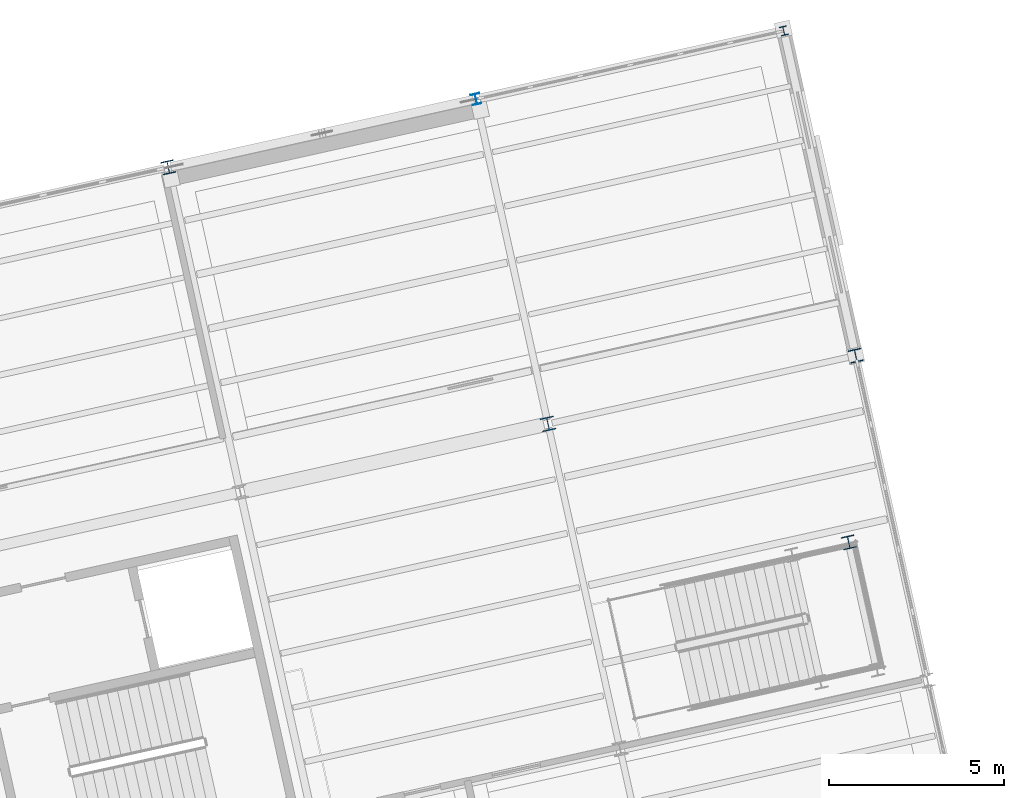
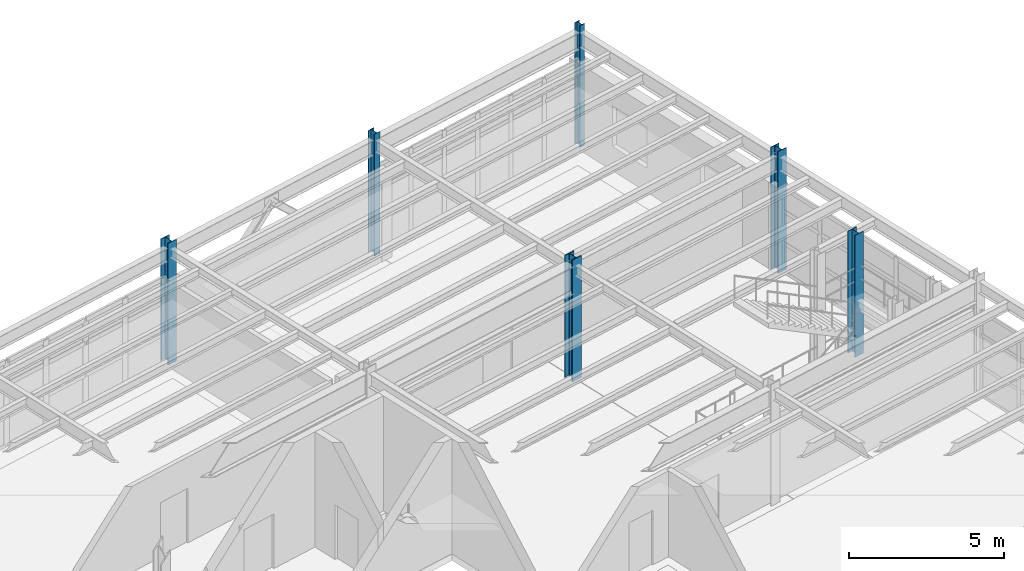
# One storey, part 19 of 109: 6 columns.
"""IFC4 building model written with IfcOpenShell, lengths in metres."""

import ifcopenshell
import ifcopenshell.guid

model = None  # the IFC model being written
_history = None  # IfcOwnerHistory: only IFC2X3 demands one
_inside = {}  # id of a spatial element -> (the spatial element, [elements in it])
_under = {}  # id of a project, library or spatial element -> (it, [spatial elements below it])
_declared = {}  # id of a project -> (the project, [libraries it declares])
_typed = {}  # id of a type object -> (the type object, [elements of that type])
_made_of = {}  # id of a material, layer set ... -> (it, [elements and type objects made of it])


def new_model(schema):
    """Start an empty IFC model of exactly this schema.

    Asked for "IFC4X3", IfcOpenShell would pick the latest addendum, in which some entities
    have other attributes; the version numbers below select the first issue.
    IFC2X3 requires an IfcOwnerHistory on every rooted entity: one is made here for all.
    """
    global model, _history
    if schema == "IFC4X3":
        model = ifcopenshell.file(schema_version=(4, 3, 0, 0))
    else:
        model = ifcopenshell.file(schema=schema)
    _inside.clear()
    _under.clear()
    _declared.clear()
    _typed.clear()
    _made_of.clear()
    _history = None
    if model.schema == "IFC2X3":
        org = make("IfcOrganization", Name="unknown")
        user = make(
            "IfcPersonAndOrganization",
            ThePerson=make("IfcPerson", FamilyName="unknown"),
            TheOrganization=org,
        )
        app = make(
            "IfcApplication",
            ApplicationDeveloper=org,
            Version="unknown",
            ApplicationFullName="unknown",
            ApplicationIdentifier="unknown",
        )
        _history = make(
            "IfcOwnerHistory",
            OwningUser=user,
            OwningApplication=app,
            ChangeAction="ADDED",
            CreationDate=0,
        )
    return model


def make(cls, **values):
    """One entity of the class cls with the attributes given. An attribute that is None is left unset."""
    return model.create_entity(
        cls, **{name: value for name, value in values.items() if value is not None}
    )


def rooted(cls, **values):
    """An entity with a GlobalId (a new one), such as an element, a storey or a relation."""
    return make(cls, GlobalId=ifcopenshell.guid.new(), OwnerHistory=_history, **values)


def si_unit(unit_type, name, prefix=None):
    """IfcSIUnit, for example si_unit("LENGTHUNIT", "METRE", prefix="MILLI")."""
    return make("IfcSIUnit", UnitType=unit_type, Prefix=prefix, Name=name)


def assignment(units):
    """IfcUnitAssignment: the units of a project."""
    return None if units is None else make("IfcUnitAssignment", Units=units)


def point(xyz):
    """IfcCartesianPoint."""
    return None if xyz is None else make("IfcCartesianPoint", Coordinates=xyz)


def direction(xyz):
    """IfcDirection."""
    return None if xyz is None else make("IfcDirection", DirectionRatios=xyz)


def frame(location, z_axis=None, x_axis=None):
    """IfcAxis2Placement3D, a coordinate frame: its origin and axes. An axis left out is left unset."""
    return make(
        "IfcAxis2Placement3D",
        Location=point(location),
        Axis=direction(z_axis),
        RefDirection=direction(x_axis),
    )


def frame_2d(location, x_axis=None):
    """IfcAxis2Placement2D, a coordinate frame in the plane: its origin and x axis."""
    return make(
        "IfcAxis2Placement2D", Location=point(location), RefDirection=direction(x_axis)
    )


def origin():
    """The frame at (0, 0, 0) with its axes left unset."""
    return frame((0.0, 0.0, 0.0))


def origin_2d():
    """The frame at (0, 0) in the plane with its x axis left unset."""
    return frame_2d((0.0, 0.0))


def place(relative_to, where):
    """IfcLocalPlacement: puts the frame where relative to a parent placement (None: the world)."""
    return make(
        "IfcLocalPlacement", PlacementRelTo=relative_to, RelativePlacement=where
    )


def context(
    kind, dimensions, precision=None, world=None, true_north=None, identifier=None
):
    """IfcGeometricRepresentationContext, for example the 3D "Model" context."""
    return make(
        "IfcGeometricRepresentationContext",
        ContextIdentifier=identifier,
        ContextType=kind,
        CoordinateSpaceDimension=dimensions,
        Precision=precision,
        WorldCoordinateSystem=world,
        TrueNorth=true_north,
    )


def subcontext(parent, identifier, kind, view, scale=None):
    """IfcGeometricRepresentationSubContext, for example "Body" below "Model"."""
    return make(
        "IfcGeometricRepresentationSubContext",
        ContextIdentifier=identifier,
        ContextType=kind,
        ParentContext=parent,
        TargetScale=scale,
        TargetView=view,
    )


def project(units=None, contexts=None):
    """IfcProject with its units and contexts."""
    return rooted(
        "IfcProject",
        Name="project",
        RepresentationContexts=contexts,
        UnitsInContext=assignment(units),
    )


def spatial(cls, under=None, at=None, **own):
    """A site, building, storey or space (cls), placed at a placement, below another one or the project."""
    s = rooted(cls, ObjectPlacement=at, **own)
    if under is not None:
        _under.setdefault(under.id(), (under, []))[1].append(s)
    return s


def profile(cls, at=None, kind="AREA", **sizes):
    """A parametric profile (cls). Its sizes go by their IFC names, for example OverallWidth=200.0."""
    return make(cls, ProfileType=kind, Position=at, **sizes)


def i_section(**sizes):
    """IfcIShapeProfileDef."""
    return profile("IfcIShapeProfileDef", **sizes)


def extrude(swept, where, along, depth):
    """IfcExtrudedAreaSolid: the profile swept, set in the frame where, extruded along a direction by depth."""
    return make(
        "IfcExtrudedAreaSolid",
        SweptArea=swept,
        Position=where,
        ExtrudedDirection=direction(along),
        Depth=depth,
    )


def shape(context_of_items, identifier, shape_type, items):
    """IfcShapeRepresentation: the items that make up one representation, for example the "Body"."""
    return make(
        "IfcShapeRepresentation",
        ContextOfItems=context_of_items,
        RepresentationIdentifier=identifier,
        RepresentationType=shape_type,
        Items=items,
    )


def material(Name=None, Category=None):
    """IfcMaterial."""
    return make("IfcMaterial", Name=Name, Category=Category)


def material_profile(
    of_material, cross_section, Name=None, Category=None, Priority=None
):
    """IfcMaterialProfile: a cross section and its material."""
    return make(
        "IfcMaterialProfile",
        Name=Name,
        Material=of_material,
        Profile=cross_section,
        Priority=Priority,
        Category=Category,
    )


def profile_set(profiles, Name=None, composite=None):
    """IfcMaterialProfileSet."""
    return make(
        "IfcMaterialProfileSet",
        Name=Name,
        MaterialProfiles=profiles,
        CompositeProfile=composite,
    )


def made_of(thing, what):
    """Note that an element or type object is made of a material, layer set ...; save() writes the relation."""
    if what is not None:
        _made_of.setdefault(what.id(), (what, []))[1].append(thing)
    return thing


def type_object(cls, material=None, **own):
    """A type object (cls), such as IfcWallType, which elements share."""
    return made_of(rooted(cls, **own), material)


def element(
    cls,
    number,
    at=None,
    inside=None,
    cuts=None,
    type_object=None,
    material=None,
    context=None,
    identifier="Body",
    shape_type=None,
    held_by="IfcProductDefinitionShape",
    body=None,
    shapes=None,
    **own,
):
    """One element of the class cls, such as IfcWall. Its Tag is "e" and its number.

    at: its placement. inside: the storey or other place that contains it. cuts: it is an
    opening in that element (IfcRelVoidsElement). A single representation is given by context,
    identifier, shape_type and body (its items); several are given by shapes. held_by: the class
    of the entity that holds the representations. save() writes the other relations.
    """
    e = rooted(cls, Tag="e%d" % number, ObjectPlacement=at, **own)
    if body is not None:
        shapes = [shape(context, identifier, shape_type, body)]
    if shapes is not None:
        e.Representation = make(held_by, Representations=shapes)
    if inside is not None:
        _inside.setdefault(inside.id(), (inside, []))[1].append(e)
    if cuts is not None:
        rooted(
            "IfcRelVoidsElement", RelatingBuildingElement=cuts, RelatedOpeningElement=e
        )
    if type_object is not None:
        _typed.setdefault(type_object.id(), (type_object, []))[1].append(e)
    return made_of(e, material)


def aggregate(whole, parts):
    """IfcRelAggregates: a whole, such as a stair, and the parts it consists of."""
    return rooted("IfcRelAggregates", RelatingObject=whole, RelatedObjects=parts)


def save(model, path):
    """Write the relations noted so far, then the file.

    IfcRelAggregates (storeys below a building ...), IfcRelContainedInSpatialStructure (elements
    in a storey), IfcRelDefinesByType, IfcRelAssociatesMaterial and IfcRelDeclares: one each for
    every whole, place, type object, material and project.
    """
    for whole, parts in _under.values():
        aggregate(whole, parts)
    for where, things in _inside.values():
        rooted(
            "IfcRelContainedInSpatialStructure",
            RelatedElements=things,
            RelatingStructure=where,
        )
    for kind, things in _typed.values():
        rooted("IfcRelDefinesByType", RelatedObjects=things, RelatingType=kind)
    for what, things in _made_of.values():
        rooted("IfcRelAssociatesMaterial", RelatedObjects=things, RelatingMaterial=what)
    for by, libraries in _declared.values():
        rooted("IfcRelDeclares", RelatingContext=by, RelatedDefinitions=libraries)
    model.write(path)


model = new_model("IFC4")

# Units and contexts
model_context = context("Model", 3, precision=1e-05, world=origin(), true_north=direction((0.0, 1.0)))
body_context = subcontext(model_context, "Body", "Model", "MODEL_VIEW")
ifc_project = project(units=[si_unit("LENGTHUNIT", "METRE"), si_unit("AREAUNIT", "SQUARE_METRE"), si_unit("VOLUMEUNIT", "CUBIC_METRE"), si_unit("PLANEANGLEUNIT", "RADIAN"), si_unit("MASSUNIT", "GRAM", prefix="KILO")], contexts=[model_context])

# Site, building, storey
site_placement = place(None, origin())
site = spatial("IfcSite", under=ifc_project, at=site_placement, CompositionType="ELEMENT")
building_placement = place(site_placement, origin())
building = spatial("IfcBuilding", under=site, at=building_placement, Name="Vireo Bluff Cable Station", CompositionType="ELEMENT")
storey_placement = place(building_placement, frame((0.0, 0.0, 4.800048828125)))
storey = spatial("IfcBuildingStorey", under=building, at=storey_placement, Name="L01", CompositionType="ELEMENT", Elevation=4.800048828125)

# Columns
ifc_material = material(Name="Steel ASTM A992 Gr. 50", Category="steel")
ifc_material_profile_1 = material_profile(ifc_material, i_section(OverallWidth=0.39892578125, OverallDepth=0.385986328125, WebThickness=0.02099609375, FlangeThickness=0.033203125, FilletRadius=0.014892578125, at=origin_2d()), Name="W14X176")
ifc_profile_set_1 = profile_set([ifc_material_profile_1], Name="Steel ASTM A992 Gr. 50")
column_type_1 = type_object("IfcColumnType", Name="COL-W14X176", PredefinedType="COLUMN", material=ifc_profile_set_1)
column_1_placement = place(storey_placement, frame((148.24755859375, 98.3935546875, 0.0), z_axis=(0.0, 0.0, 1.0), x_axis=(0.97629600712, 0.216439613938, 0.0)))
element("IfcColumn", 1, at=column_1_placement, inside=storey, type_object=column_type_1, Name="V2 L01 column 173", PredefinedType="COLUMN", context=body_context, shape_type="SweptSolid", body=[
    extrude(i_section(OverallWidth=0.39892578125, OverallDepth=0.385986328125, WebThickness=0.02099609375, FlangeThickness=0.033203125, FilletRadius=0.014892578125, at=origin_2d()), origin(), (0.0, 0.0, 1.0), 4.800048828125),
])
ifc_material_profile_2 = material_profile(ifc_material, i_section(OverallWidth=0.367919921875, OverallDepth=0.35595703125, WebThickness=0.01123046875, FlangeThickness=0.01806640625, FilletRadius=0.014892578125, at=origin_2d()), Name="W14X90")
ifc_profile_set_2 = profile_set([ifc_material_profile_2], Name="Steel ASTM A992 Gr. 50")
column_type_2 = type_object("IfcColumnType", Name="COL-W14X90", PredefinedType="COLUMN", material=ifc_profile_set_2)
column_2_placement = place(storey_placement, frame((156.833251953125, 95.011474609375, 0.0), z_axis=(0.0, 0.0, 1.0), x_axis=(0.97629600712, 0.216439613938, 0.0)))
element("IfcColumn", 2, at=column_2_placement, inside=storey, type_object=column_type_2, Name="ST-09 L01 landing support column 4", PredefinedType="COLUMN", context=body_context, shape_type="SweptSolid", body=[
    extrude(i_section(OverallWidth=0.367919921875, OverallDepth=0.35595703125, WebThickness=0.01123046875, FlangeThickness=0.01806640625, FilletRadius=0.014892578125, at=origin_2d()), origin(), (0.0, 0.0, 1.0), 4.800048828125),
])
ifc_material_profile_3 = material_profile(ifc_material, i_section(OverallWidth=0.3701171875, OverallDepth=0.360107421875, WebThickness=0.01220703125, FlangeThickness=0.019775390625, FilletRadius=0.014892578125, at=origin_2d()), Name="W14X99")
ifc_profile_set_3 = profile_set([ifc_material_profile_3], Name="Steel ASTM A992 Gr. 50")
column_type_3 = type_object("IfcColumnType", Name="ECOL-W14X99", PredefinedType="COLUMN", material=ifc_profile_set_3)
for number, where, z_axis, x_axis, name in (
    (3, (137.40478515625, 105.720458984375, 0.0), (0.0, 0.0, 1.0), (0.97629600712, 0.216439613938, 0.0), "V2 L01 column 162"),
    (4, (157.034423828125, 100.341552734375, 0.0), (0.0, 0.0, 1.0), (0.97629600712, 0.216439613938, 0.0), "V2 L01 column 188"),
):
    element("IfcColumn", number, at=place(storey_placement, frame(where, z_axis=z_axis, x_axis=x_axis)), inside=storey, type_object=column_type_3, Name=name, PredefinedType="COLUMN", context=body_context, shape_type="SweptSolid", body=[
        extrude(i_section(OverallWidth=0.3701171875, OverallDepth=0.360107421875, WebThickness=0.01220703125, FlangeThickness=0.019775390625, FilletRadius=0.014892578125, at=origin_2d()), origin(), (0.0, 0.0, 1.0), 4.800048828125),
    ])
ifc_material_profile_4 = material_profile(ifc_material, i_section(OverallWidth=0.2041015625, OverallDepth=0.257080078125, WebThickness=0.0087890625, FlangeThickness=0.015625, FilletRadius=0.009033203125, at=origin_2d()), Name="W10X45")
ifc_profile_set_4 = profile_set([ifc_material_profile_4], Name="Steel ASTM A992 Gr. 50")
column_type_4 = type_object("IfcColumnType", Name="PIL-W10X45", PredefinedType="PILASTER", material=ifc_profile_set_4)
column_3_placement = place(storey_placement, frame((154.97802734375, 109.6162109375, 0.0), z_axis=(0.0, 0.0, 1.0), x_axis=(0.97629600712, 0.216439613938, 0.0)))
element("IfcColumn", 5, at=column_3_placement, inside=storey, type_object=column_type_4, Name="V2 L01 column 192", PredefinedType="PILASTER", context=body_context, shape_type="SweptSolid", body=[
    extrude(i_section(OverallWidth=0.2041015625, OverallDepth=0.257080078125, WebThickness=0.0087890625, FlangeThickness=0.015625, FilletRadius=0.009033203125, at=origin_2d()), origin(), (0.0, 0.0, 1.0), 4.800048828125),
])
ifc_material_profile_5 = material_profile(ifc_material, i_section(OverallWidth=0.25390625, OverallDepth=0.305908203125, WebThickness=0.0087890625, FlangeThickness=0.0146484375, FilletRadius=0.010986328125, at=origin_2d()), Name="W12X53")
ifc_profile_set_5 = profile_set([ifc_material_profile_5], Name="Steel ASTM A992 Gr. 50")
column_type_5 = type_object("IfcColumnType", Name="PIL-W12X53", PredefinedType="PILASTER", material=ifc_profile_set_5)
column_4_placement = place(storey_placement, frame((146.19140625, 107.668212890625, 0.0), z_axis=(0.0, 0.0, 1.0), x_axis=(0.97629600712, 0.216439613938, 0.0)))
element("IfcColumn", 6, at=column_4_placement, inside=storey, type_object=column_type_5, Name="V2 L01 column 177", PredefinedType="PILASTER", context=body_context, shape_type="SweptSolid", body=[
    extrude(i_section(OverallWidth=0.25390625, OverallDepth=0.305908203125, WebThickness=0.0087890625, FlangeThickness=0.0146484375, FilletRadius=0.010986328125, at=origin_2d()), origin(), (0.0, 0.0, 1.0), 4.800048828125),
])

save(model, "model.ifc")
